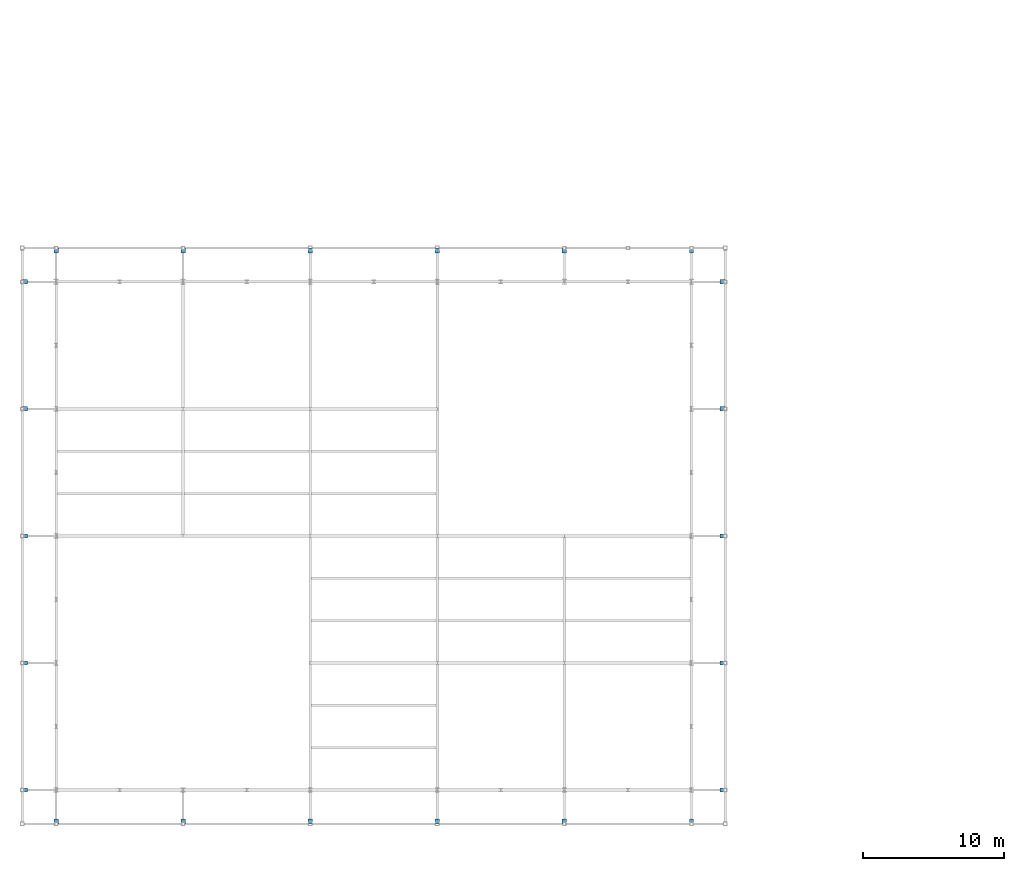
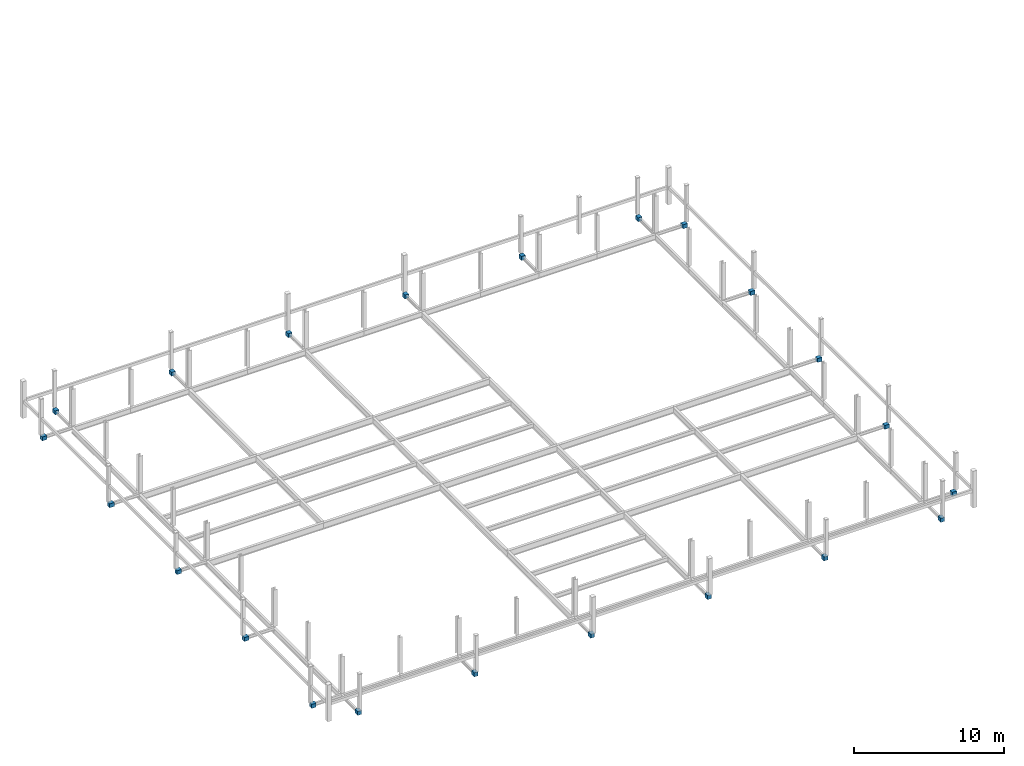
# One storey, part 14 of 16: 22 discrete accessories.
"""IFC4 building model written with IfcOpenShell, lengths in metres."""

from ifc_helpers import new_model, si_unit, direction, frame, origin, origin_2d, place, context, subcontext, project, spatial, rectangle, extrude, material, type_object, element, save


model = new_model("IFC4")

# Units and contexts
model_context = context("Model", 3, precision=1e-05, world=origin(), true_north=direction((0.0, 1.0)))
body_context = subcontext(model_context, "Body", "Model", "MODEL_VIEW")
ifc_project = project(units=[si_unit("LENGTHUNIT", "METRE"), si_unit("AREAUNIT", "SQUARE_METRE"), si_unit("VOLUMEUNIT", "CUBIC_METRE"), si_unit("PLANEANGLEUNIT", "RADIAN"), si_unit("MASSUNIT", "GRAM", prefix="KILO"), si_unit("THERMODYNAMICTEMPERATUREUNIT", "KELVIN"), si_unit("POWERUNIT", "WATT")], contexts=[model_context])

# Site, building, storey
site_placement = place(None, origin())
site = spatial("IfcSite", under=ifc_project, at=site_placement, CompositionType="ELEMENT")
building_placement = place(site_placement, origin())
building = spatial("IfcBuilding", under=site, at=building_placement, Name="Tallowbark Science Centre", CompositionType="ELEMENT")
storey_placement = place(building_placement, frame((0.0, 0.0, 23.39990234375)))
storey = spatial("IfcBuildingStorey", under=building, at=storey_placement, Name="L05", CompositionType="ELEMENT", Elevation=23.39990234375)

# Discrete accessories
ifc_material = material(Name="White Architectural Painted Steel Grade C350L0 (350 MPa)", Category="steel")
discrete_accessory_type = type_object("IfcDiscreteAccessoryType", Name="ACC-BRK-OUT", PredefinedType="BRACKET", material=ifc_material)
for number, where, z_axis, x_axis, name in (
    (1, (58.5, 2.280029296875, -0.41015625), (0.0, 0.0, 1.0), (1.0, 0.0, 0.0), "Outrigger Gusset Bracket S-79"),
    (2, (58.5, 42.719970703125, -0.41015625), (0.0, 0.0, 1.0), (1.0, 0.0, 0.0), "Outrigger Gusset Bracket N-80"),
    (3, (67.5, 2.280029296875, -0.41015625), (0.0, 0.0, 1.0), (1.0, 0.0, 0.0), "Outrigger Gusset Bracket S-81"),
    (4, (67.5, 42.719970703125, -0.41015625), (0.0, 0.0, 1.0), (1.0, 0.0, 0.0), "Outrigger Gusset Bracket N-82"),
    (5, (76.5, 2.280029296875, -0.41015625), (0.0, 0.0, 1.0), (1.0, 0.0, 0.0), "Outrigger Gusset Bracket S-83"),
    (6, (76.5, 42.719970703125, -0.41015625), (0.0, 0.0, 1.0), (1.0, 0.0, 0.0), "Outrigger Gusset Bracket N-84"),
    (7, (85.5, 2.280029296875, -0.41015625), (0.0, 0.0, 1.0), (1.0, 0.0, 0.0), "Outrigger Gusset Bracket S-85"),
    (8, (85.5, 42.719970703125, -0.41015625), (0.0, 0.0, 1.0), (1.0, 0.0, 0.0), "Outrigger Gusset Bracket N-86"),
    (9, (94.5, 2.280029296875, -0.41015625), (0.0, 0.0, 1.0), (1.0, 0.0, 0.0), "Outrigger Gusset Bracket S-87"),
    (10, (94.5, 42.719970703125, -0.41015625), (0.0, 0.0, 1.0), (1.0, 0.0, 0.0), "Outrigger Gusset Bracket N-88"),
    (11, (103.5, 2.280029296875, -0.41015625), (0.0, 0.0, 1.0), (1.0, 0.0, 0.0), "Outrigger Gusset Bracket S-89"),
    (12, (103.5, 42.719970703125, -0.41015625), (0.0, 0.0, 1.0), (1.0, 0.0, 0.0), "Outrigger Gusset Bracket N-90"),
):
    element("IfcDiscreteAccessory", number, at=place(storey_placement, frame(where, z_axis=z_axis, x_axis=x_axis)), inside=storey, type_object=discrete_accessory_type, Name=name, PredefinedType="BRACKET", context=body_context, shape_type="SweptSolid", body=[
        extrude(rectangle(XDim=0.300048828125, YDim=0.35009765625, at=origin_2d()), origin(), (0.0, 0.0, 1.0), 0.320068359375),
    ])
for number, where, z_axis, x_axis, name in (
    (13, (56.280029296875, 4.5, -0.41015625), (0.0, 0.0, 1.0), (1.0, 0.0, 0.0), "Outrigger Gusset Bracket W-91"),
    (14, (105.719970703125, 4.5, -0.41015625), (0.0, 0.0, 1.0), (1.0, 0.0, 0.0), "Outrigger Gusset Bracket E-92"),
    (15, (56.280029296875, 13.5, -0.41015625), (0.0, 0.0, 1.0), (1.0, 0.0, 0.0), "Outrigger Gusset Bracket W-93"),
    (16, (105.719970703125, 13.5, -0.41015625), (0.0, 0.0, 1.0), (1.0, 0.0, 0.0), "Outrigger Gusset Bracket E-94"),
    (17, (56.280029296875, 22.5, -0.41015625), (0.0, 0.0, 1.0), (1.0, 0.0, 0.0), "Outrigger Gusset Bracket W-95"),
    (18, (105.719970703125, 22.5, -0.41015625), (0.0, 0.0, 1.0), (1.0, 0.0, 0.0), "Outrigger Gusset Bracket E-96"),
    (19, (56.280029296875, 31.5, -0.41015625), (0.0, 0.0, 1.0), (1.0, 0.0, 0.0), "Outrigger Gusset Bracket W-97"),
    (20, (105.719970703125, 31.5, -0.41015625), (0.0, 0.0, 1.0), (1.0, 0.0, 0.0), "Outrigger Gusset Bracket E-98"),
    (21, (56.280029296875, 40.5, -0.41015625), (0.0, 0.0, 1.0), (1.0, 0.0, 0.0), "Outrigger Gusset Bracket W-99"),
    (22, (105.719970703125, 40.5, -0.41015625), (0.0, 0.0, 1.0), (1.0, 0.0, 0.0), "Outrigger Gusset Bracket E-100"),
):
    element("IfcDiscreteAccessory", number, at=place(storey_placement, frame(where, z_axis=z_axis, x_axis=x_axis)), inside=storey, type_object=discrete_accessory_type, Name=name, PredefinedType="BRACKET", context=body_context, shape_type="SweptSolid", body=[
        extrude(rectangle(XDim=0.35009765625, YDim=0.300048828125, at=origin_2d()), origin(), (0.0, 0.0, 1.0), 0.320068359375),
    ])

save(model, "model.ifc")
